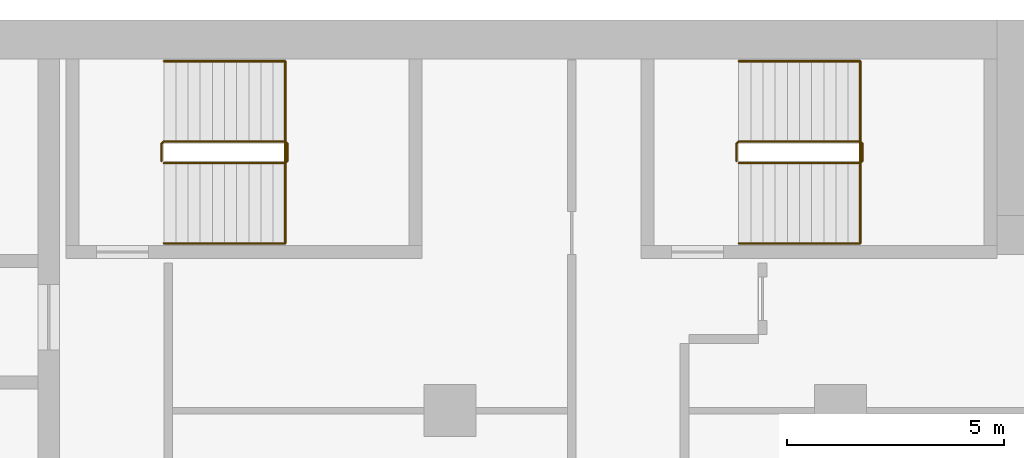
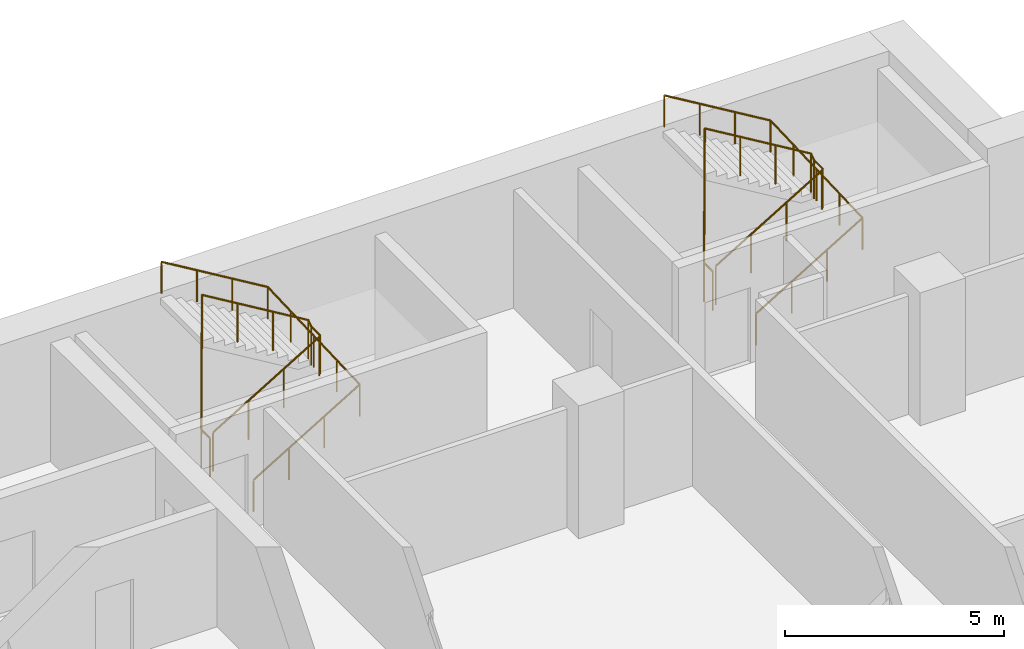
# One storey, part 22 of 22: 4 railings.
"""IFC4 building model written with IfcOpenShell, lengths in metres."""

from ifc_helpers import new_model, si_unit, direction, frame, origin, origin_2d, place, context, subcontext, project, spatial, circle, extrude, material, type_object, element, save


model = new_model("IFC4")

# Units and contexts
model_context = context("Model", 3, precision=1e-05, world=origin(), true_north=direction((0.0, 1.0)))
body_context = subcontext(model_context, "Body", "Model", "MODEL_VIEW")
ifc_project = project(units=[si_unit("LENGTHUNIT", "METRE"), si_unit("AREAUNIT", "SQUARE_METRE"), si_unit("VOLUMEUNIT", "CUBIC_METRE"), si_unit("PLANEANGLEUNIT", "RADIAN"), si_unit("MASSUNIT", "GRAM", prefix="KILO")], contexts=[model_context])

# Site, building, storey
site_placement = place(None, origin())
site = spatial("IfcSite", under=ifc_project, at=site_placement, CompositionType="ELEMENT")
building_placement = place(site_placement, origin())
building = spatial("IfcBuilding", under=site, at=building_placement, Name="Hunhe Ridgeline Campus", CompositionType="ELEMENT")
storey_placement = place(building_placement, frame((0.0, 0.0, 133.800048828125)))
storey = spatial("IfcBuildingStorey", under=building, at=storey_placement, Name="L33", CompositionType="ELEMENT", Elevation=133.800048828125)

# Railings
ifc_material_1 = material(Name="Stainless steel balustrade", Category="steel")
railing_type_1 = type_object("IfcRailingType", Name="Stair guard 1100 stainless", PredefinedType="GUARDRAIL", material=ifc_material_1)
railing_1_placement = place(storey_placement, frame((38.39990234375, 95.699951171875, 0.168212890625)))
element("IfcRailing", 1, at=railing_1_placement, inside=storey, type_object=railing_type_1, Name="L33 stair E1 guard", PredefinedType="GUARDRAIL", context=body_context, shape_type="SweptSolid", body=[
    extrude(circle(Radius=0.02392578125, at=origin_2d()), frame((0.0, 0.0, 1.076171875), z_axis=(0.857275202839, 0.0, 0.514858452973), x_axis=(0.0, 1.0, 0.0)), (0.0, 0.0, 1.0), 3.26611328125),
    extrude(circle(Radius=0.02392578125, at=origin_2d()), frame((2.800048828125, 0.0, 2.7578125), z_axis=(0.707106781187, 0.707106781187, 0.0), x_axis=(-0.707106781187, 0.707106781187, 0.0)), (0.0, 0.0, 1.0), 0.07080078125),
    extrude(circle(Radius=0.02392578125, at=origin_2d()), frame((2.85009765625, 0.050048828125, 2.7578125), z_axis=(0.0, 1.0, 0.0), x_axis=(-1.0, 0.0, 0.0)), (0.0, 0.0, 1.0), 0.39990234375),
    extrude(circle(Radius=0.02392578125, at=origin_2d()), frame((2.85009765625, 0.449951171875, 2.7578125), z_axis=(-0.274243871929, 0.274243871929, 0.92172696468), x_axis=(-0.707106781187, -0.707106781187, 0.0)), (0.0, 0.0, 1.0), 0.1826171875),
    extrude(circle(Radius=0.02392578125, at=origin_2d()), frame((2.800048828125, 0.5, 2.92578125), z_axis=(-0.857242210791, 0.0, 0.514913383045), x_axis=(0.0, -1.0, 0.0)), (0.0, 0.0, 1.0), 3.266357421875),
    extrude(circle(Radius=0.02392578125, at=origin_2d()), frame((0.0, 0.5, 4.60791015625), z_axis=(-0.013458453615, -0.013524426427, -0.999817963389), x_axis=(0.708833529934, -0.705375805398, 0.0)), (0.0, 0.0, 1.0), 3.70068359375),
    extrude(circle(Radius=0.02392578125, at=origin_2d()), frame((-0.0498046875, 0.449951171875, 0.90771484375), z_axis=(0.0, -1.0, 0.0), x_axis=(1.0, 0.0, 0.0)), (0.0, 0.0, 1.0), 0.39990234375),
    extrude(circle(Radius=0.02099609375, at=origin_2d()), origin(), (0.0, 0.0, 1.0), 1.052001953125),
    extrude(circle(Radius=0.02099609375, at=origin_2d()), frame((0.933349609375, 0.0, 0.560546875)), (0.0, 0.0, 1.0), 1.052001953125),
    extrude(circle(Radius=0.02099609375, at=origin_2d()), frame((1.86669921875, 0.0, 1.12109375)), (0.0, 0.0, 1.0), 1.052001953125),
    extrude(circle(Radius=0.02099609375, at=origin_2d()), frame((2.800048828125, 0.0, 1.681640625)), (0.0, 0.0, 1.0), 1.052001953125),
    extrude(circle(Radius=0.02099609375, at=origin_2d()), frame((2.85009765625, 0.050048828125, 1.681640625)), (0.0, 0.0, 1.0), 1.052001953125),
    extrude(circle(Radius=0.02099609375, at=origin_2d()), frame((2.85009765625, 0.449951171875, 1.681640625)), (0.0, 0.0, 1.0), 1.052001953125),
    extrude(circle(Radius=0.02099609375, at=origin_2d()), frame((2.800048828125, 0.5, 1.849853515625)), (0.0, 0.0, 1.0), 1.052001953125),
    extrude(circle(Radius=0.02099609375, at=origin_2d()), frame((1.86669921875, 0.5, 2.410400390625)), (0.0, 0.0, 1.0), 1.052001953125),
    extrude(circle(Radius=0.02099609375, at=origin_2d()), frame((0.933349609375, 0.5, 2.97119140625)), (0.0, 0.0, 1.0), 1.052001953125),
    extrude(circle(Radius=0.02099609375, at=origin_2d()), frame((0.0, 0.5, 3.53173828125)), (0.0, 0.0, 1.0), 1.052001953125),
    extrude(circle(Radius=0.02099609375, at=origin_2d()), frame((-0.012451171875, 0.487548828125, 2.606689453125)), (0.0, 0.0, 1.0), 1.052001953125),
    extrude(circle(Radius=0.02099609375, at=origin_2d()), frame((-0.02490234375, 0.47509765625, 1.681640625)), (0.0, 0.0, 1.0), 1.052001953125),
    extrude(circle(Radius=0.02099609375, at=origin_2d()), frame((-0.037353515625, 0.46240234375, 0.7568359375)), (0.0, 0.0, 1.0), 1.052001953125),
    extrude(circle(Radius=0.02099609375, at=origin_2d()), frame((-0.0498046875, 0.449951171875, -0.168212890625)), (0.0, 0.0, 1.0), 1.052001953125),
    extrude(circle(Radius=0.02099609375, at=origin_2d()), frame((-0.0498046875, 0.050048828125, -0.168212890625)), (0.0, 0.0, 1.0), 1.052001953125),
])
railing_2_placement = place(storey_placement, frame((51.64990234375, 95.699951171875, 0.168212890625)))
element("IfcRailing", 2, at=railing_2_placement, inside=storey, type_object=railing_type_1, Name="L33 stair E2 guard", PredefinedType="GUARDRAIL", context=body_context, shape_type="SweptSolid", body=[
    extrude(circle(Radius=0.02392578125, at=origin_2d()), frame((0.0, 0.0, 1.076171875), z_axis=(0.857275202839, 0.0, 0.514858452973), x_axis=(0.0, 1.0, 0.0)), (0.0, 0.0, 1.0), 3.26611328125),
    extrude(circle(Radius=0.02392578125, at=origin_2d()), frame((2.800048828125, 0.0, 2.7578125), z_axis=(0.707106781187, 0.707106781187, 0.0), x_axis=(-0.707106781187, 0.707106781187, 0.0)), (0.0, 0.0, 1.0), 0.07080078125),
    extrude(circle(Radius=0.02392578125, at=origin_2d()), frame((2.85009765625, 0.050048828125, 2.7578125), z_axis=(0.0, 1.0, 0.0), x_axis=(-1.0, 0.0, 0.0)), (0.0, 0.0, 1.0), 0.39990234375),
    extrude(circle(Radius=0.02392578125, at=origin_2d()), frame((2.85009765625, 0.449951171875, 2.7578125), z_axis=(-0.274243871929, 0.274243871929, 0.92172696468), x_axis=(-0.707106781187, -0.707106781187, 0.0)), (0.0, 0.0, 1.0), 0.1826171875),
    extrude(circle(Radius=0.02392578125, at=origin_2d()), frame((2.800048828125, 0.5, 2.92578125), z_axis=(-0.857242210791, 0.0, 0.514913383045), x_axis=(0.0, -1.0, 0.0)), (0.0, 0.0, 1.0), 3.266357421875),
    extrude(circle(Radius=0.02392578125, at=origin_2d()), frame((0.0, 0.5, 4.60791015625), z_axis=(-0.013458453615, -0.013524426427, -0.999817963389), x_axis=(0.708833529934, -0.705375805398, 0.0)), (0.0, 0.0, 1.0), 3.70068359375),
    extrude(circle(Radius=0.02392578125, at=origin_2d()), frame((-0.0498046875, 0.449951171875, 0.90771484375), z_axis=(0.0, -1.0, 0.0), x_axis=(1.0, 0.0, 0.0)), (0.0, 0.0, 1.0), 0.39990234375),
    extrude(circle(Radius=0.02099609375, at=origin_2d()), origin(), (0.0, 0.0, 1.0), 1.052001953125),
    extrude(circle(Radius=0.02099609375, at=origin_2d()), frame((0.933349609375, 0.0, 0.560546875)), (0.0, 0.0, 1.0), 1.052001953125),
    extrude(circle(Radius=0.02099609375, at=origin_2d()), frame((1.86669921875, 0.0, 1.12109375)), (0.0, 0.0, 1.0), 1.052001953125),
    extrude(circle(Radius=0.02099609375, at=origin_2d()), frame((2.800048828125, 0.0, 1.681640625)), (0.0, 0.0, 1.0), 1.052001953125),
    extrude(circle(Radius=0.02099609375, at=origin_2d()), frame((2.85009765625, 0.050048828125, 1.681640625)), (0.0, 0.0, 1.0), 1.052001953125),
    extrude(circle(Radius=0.02099609375, at=origin_2d()), frame((2.85009765625, 0.449951171875, 1.681640625)), (0.0, 0.0, 1.0), 1.052001953125),
    extrude(circle(Radius=0.02099609375, at=origin_2d()), frame((2.800048828125, 0.5, 1.849853515625)), (0.0, 0.0, 1.0), 1.052001953125),
    extrude(circle(Radius=0.02099609375, at=origin_2d()), frame((1.86669921875, 0.5, 2.410400390625)), (0.0, 0.0, 1.0), 1.052001953125),
    extrude(circle(Radius=0.02099609375, at=origin_2d()), frame((0.933349609375, 0.5, 2.97119140625)), (0.0, 0.0, 1.0), 1.052001953125),
    extrude(circle(Radius=0.02099609375, at=origin_2d()), frame((0.0, 0.5, 3.53173828125)), (0.0, 0.0, 1.0), 1.052001953125),
    extrude(circle(Radius=0.02099609375, at=origin_2d()), frame((-0.012451171875, 0.487548828125, 2.606689453125)), (0.0, 0.0, 1.0), 1.052001953125),
    extrude(circle(Radius=0.02099609375, at=origin_2d()), frame((-0.02490234375, 0.47509765625, 1.681640625)), (0.0, 0.0, 1.0), 1.052001953125),
    extrude(circle(Radius=0.02099609375, at=origin_2d()), frame((-0.037353515625, 0.46240234375, 0.7568359375)), (0.0, 0.0, 1.0), 1.052001953125),
    extrude(circle(Radius=0.02099609375, at=origin_2d()), frame((-0.0498046875, 0.449951171875, -0.168212890625)), (0.0, 0.0, 1.0), 1.052001953125),
    extrude(circle(Radius=0.02099609375, at=origin_2d()), frame((-0.0498046875, 0.050048828125, -0.168212890625)), (0.0, 0.0, 1.0), 1.052001953125),
])
ifc_material_2 = material(Name="Stainless steel handrail", Category="steel")
railing_type_2 = type_object("IfcRailingType", Name="Stair handrail 900 stainless", PredefinedType="HANDRAIL", material=ifc_material_2)
railing_3_placement = place(storey_placement, frame((38.39990234375, 93.85009765625, 0.168212890625)))
element("IfcRailing", 3, at=railing_3_placement, inside=storey, type_object=railing_type_2, Name="L33 stair E1 handrail", PredefinedType="HANDRAIL", context=body_context, shape_type="SweptSolid", body=[
    extrude(circle(Radius=0.02392578125, at=origin_2d()), frame((0.0, 0.0, 0.8759765625), z_axis=(0.857275202839, 0.0, 0.514858452973), x_axis=(0.0, 1.0, 0.0)), (0.0, 0.0, 1.0), 3.26611328125),
    extrude(circle(Radius=0.02392578125, at=origin_2d()), frame((2.800048828125, 0.0, 2.5576171875), z_axis=(0.0, 0.999198916169, 0.040019069537), x_axis=(-1.0, 0.0, 0.0)), (0.0, 0.0, 1.0), 4.203369140625),
    extrude(circle(Radius=0.02392578125, at=origin_2d()), frame((2.800048828125, 4.199951171875, 2.7255859375), z_axis=(-0.857242210791, 0.0, 0.514913383045), x_axis=(0.0, -1.0, 0.0)), (0.0, 0.0, 1.0), 3.266357421875),
    extrude(circle(Radius=0.02099609375, at=origin_2d()), origin(), (0.0, 0.0, 1.0), 0.851806640625),
    extrude(circle(Radius=0.02099609375, at=origin_2d()), frame((0.933349609375, 0.0, 0.560546875)), (0.0, 0.0, 1.0), 0.851806640625),
    extrude(circle(Radius=0.02099609375, at=origin_2d()), frame((1.86669921875, 0.0, 1.12109375)), (0.0, 0.0, 1.0), 0.851806640625),
    extrude(circle(Radius=0.02099609375, at=origin_2d()), frame((2.800048828125, 0.0, 1.681640625)), (0.0, 0.0, 1.0), 0.851806640625),
    extrude(circle(Radius=0.02099609375, at=origin_2d()), frame((2.800048828125, 1.050048828125, 1.7236328125)), (0.0, 0.0, 1.0), 0.851806640625),
    extrude(circle(Radius=0.02099609375, at=origin_2d()), frame((2.800048828125, 2.10009765625, 1.765625)), (0.0, 0.0, 1.0), 0.851806640625),
    extrude(circle(Radius=0.02099609375, at=origin_2d()), frame((2.800048828125, 3.14990234375, 1.807861328125)), (0.0, 0.0, 1.0), 0.851806640625),
    extrude(circle(Radius=0.02099609375, at=origin_2d()), frame((2.800048828125, 4.199951171875, 1.849853515625)), (0.0, 0.0, 1.0), 0.851806640625),
    extrude(circle(Radius=0.02099609375, at=origin_2d()), frame((1.86669921875, 4.199951171875, 2.410400390625)), (0.0, 0.0, 1.0), 0.851806640625),
    extrude(circle(Radius=0.02099609375, at=origin_2d()), frame((0.933349609375, 4.199951171875, 2.97119140625)), (0.0, 0.0, 1.0), 0.851806640625),
    extrude(circle(Radius=0.02099609375, at=origin_2d()), frame((0.0, 4.199951171875, 3.53173828125)), (0.0, 0.0, 1.0), 0.851806640625),
])
railing_4_placement = place(storey_placement, frame((51.64990234375, 93.85009765625, 0.168212890625)))
element("IfcRailing", 4, at=railing_4_placement, inside=storey, type_object=railing_type_2, Name="L33 stair E2 handrail", PredefinedType="HANDRAIL", context=body_context, shape_type="SweptSolid", body=[
    extrude(circle(Radius=0.02392578125, at=origin_2d()), frame((0.0, 0.0, 0.8759765625), z_axis=(0.857275202839, 0.0, 0.514858452973), x_axis=(0.0, 1.0, 0.0)), (0.0, 0.0, 1.0), 3.26611328125),
    extrude(circle(Radius=0.02392578125, at=origin_2d()), frame((2.800048828125, 0.0, 2.5576171875), z_axis=(0.0, 0.999198916169, 0.040019069537), x_axis=(-1.0, 0.0, 0.0)), (0.0, 0.0, 1.0), 4.203369140625),
    extrude(circle(Radius=0.02392578125, at=origin_2d()), frame((2.800048828125, 4.199951171875, 2.7255859375), z_axis=(-0.857242210791, 0.0, 0.514913383045), x_axis=(0.0, -1.0, 0.0)), (0.0, 0.0, 1.0), 3.266357421875),
    extrude(circle(Radius=0.02099609375, at=origin_2d()), origin(), (0.0, 0.0, 1.0), 0.851806640625),
    extrude(circle(Radius=0.02099609375, at=origin_2d()), frame((0.933349609375, 0.0, 0.560546875)), (0.0, 0.0, 1.0), 0.851806640625),
    extrude(circle(Radius=0.02099609375, at=origin_2d()), frame((1.86669921875, 0.0, 1.12109375)), (0.0, 0.0, 1.0), 0.851806640625),
    extrude(circle(Radius=0.02099609375, at=origin_2d()), frame((2.800048828125, 0.0, 1.681640625)), (0.0, 0.0, 1.0), 0.851806640625),
    extrude(circle(Radius=0.02099609375, at=origin_2d()), frame((2.800048828125, 1.050048828125, 1.7236328125)), (0.0, 0.0, 1.0), 0.851806640625),
    extrude(circle(Radius=0.02099609375, at=origin_2d()), frame((2.800048828125, 2.10009765625, 1.765625)), (0.0, 0.0, 1.0), 0.851806640625),
    extrude(circle(Radius=0.02099609375, at=origin_2d()), frame((2.800048828125, 3.14990234375, 1.807861328125)), (0.0, 0.0, 1.0), 0.851806640625),
    extrude(circle(Radius=0.02099609375, at=origin_2d()), frame((2.800048828125, 4.199951171875, 1.849853515625)), (0.0, 0.0, 1.0), 0.851806640625),
    extrude(circle(Radius=0.02099609375, at=origin_2d()), frame((1.86669921875, 4.199951171875, 2.410400390625)), (0.0, 0.0, 1.0), 0.851806640625),
    extrude(circle(Radius=0.02099609375, at=origin_2d()), frame((0.933349609375, 4.199951171875, 2.97119140625)), (0.0, 0.0, 1.0), 0.851806640625),
    extrude(circle(Radius=0.02099609375, at=origin_2d()), frame((0.0, 4.199951171875, 3.53173828125)), (0.0, 0.0, 1.0), 0.851806640625),
])

save(model, "model.ifc")
